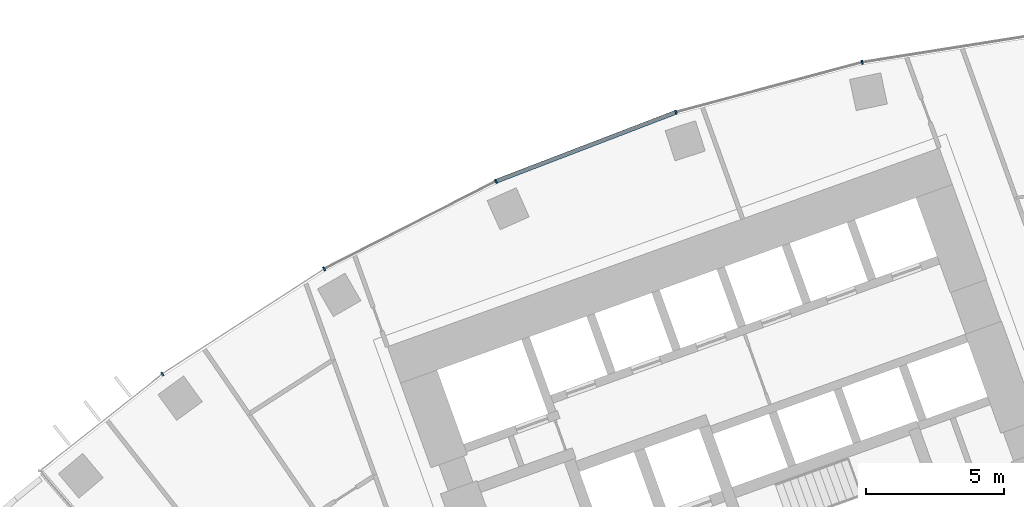
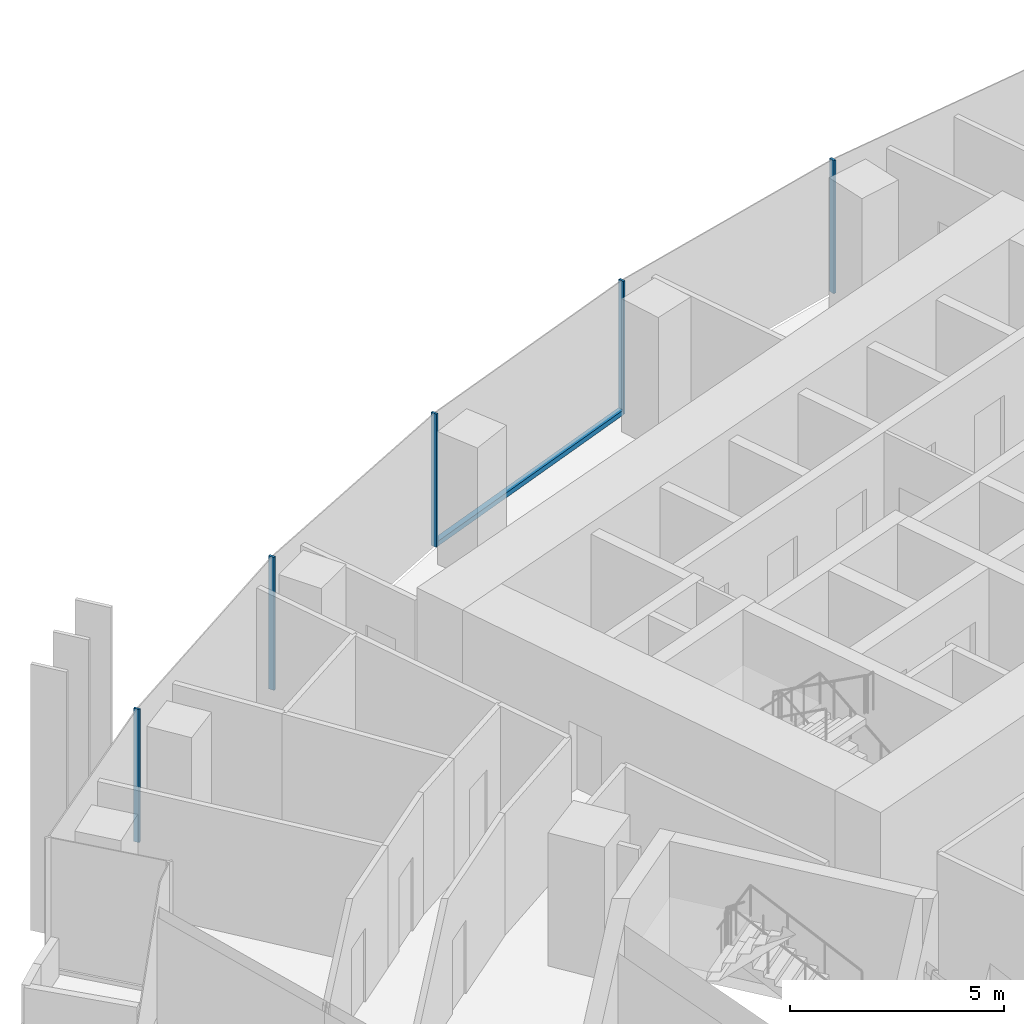
# One storey, part 5 of 21: 6 members, 1 element without a shape of its own.
"""IFC4 building model written with IfcOpenShell, lengths in metres."""

from ifc_helpers import new_model, si_unit, direction, frame, origin, origin_2d, place, context, subcontext, project, spatial, rectangle, extrude, material, layer, layer_set, material_profile, profile_set, type_object, element, aggregate, save


model = new_model("IFC4")

# Units and contexts
model_context = context("Model", 3, precision=1e-05, world=origin(), true_north=direction((0.0, 1.0)))
body_context = subcontext(model_context, "Body", "Model", "MODEL_VIEW")
ifc_project = project(units=[si_unit("LENGTHUNIT", "METRE"), si_unit("AREAUNIT", "SQUARE_METRE"), si_unit("VOLUMEUNIT", "CUBIC_METRE"), si_unit("PLANEANGLEUNIT", "RADIAN"), si_unit("MASSUNIT", "GRAM", prefix="KILO")], contexts=[model_context])

# Site, building, storey
site_placement = place(None, origin())
site = spatial("IfcSite", under=ifc_project, at=site_placement, CompositionType="ELEMENT")
building_placement = place(site_placement, origin())
building = spatial("IfcBuilding", under=site, at=building_placement, Name="Stone Belt Terrace Tower", CompositionType="ELEMENT")
storey_placement = place(building_placement, frame((0.0, 0.0, 113.60009765625)))
storey = spatial("IfcBuildingStorey", under=building, at=storey_placement, Name="L27", CompositionType="ELEMENT", Elevation=113.60009765625)

# Curtain wall, members
ifc_material = material(Name="Aluminium 6063-T6 anodised frame", Category="aluminium")
ifc_layer = layer(ifc_material, 0.14990234375)
ifc_layer_set = layer_set([ifc_layer], Name="CW-A unitised convex-face curtain wall")
curtain_wall_type = type_object("IfcCurtainWallType", Name="CW-A unitised convex-face curtain wall", PredefinedType="NOTDEFINED", material=ifc_layer_set)
curtain_wall_placement = place(storey_placement, origin())
curtain_wall = element("IfcCurtainWall", 1, at=curtain_wall_placement, inside=storey, type_object=curtain_wall_type, Name="CW-A convex face L27", PredefinedType="NOTDEFINED")
ifc_material_profile_1 = material_profile(ifc_material, rectangle(XDim=0.14990234375, YDim=0.06005859375, at=origin_2d()), Name="Aluminium 6063-T6 60x150")
ifc_profile_set_1 = profile_set([ifc_material_profile_1], Name="Aluminium 6063-T6 anodised frame")
member_type_1 = type_object("IfcMemberType", Name="CW-A mullion 60 x 150", PredefinedType="MULLION", material=ifc_profile_set_1)
member_1_placement = place(storey_placement, frame((-13.841796875, 65.120361328125, 0.0), z_axis=(0.0, 0.0, 1.0), x_axis=(0.207911690818, -0.978147600734, 0.0)))
member_1 = element("IfcMember", 2, at=member_1_placement, type_object=member_type_1, Name="CW-A mullion 12", PredefinedType="MULLION", context=body_context, shape_type="SweptSolid", body=[
    extrude(rectangle(XDim=0.14990234375, YDim=0.06005859375, at=origin_2d()), origin(), (0.0, 0.0, 1.0), 3.7998046875),
])
member_2_placement = place(storey_placement, frame((-20.57275390625, 63.316650390625, 0.0), z_axis=(0.0, 0.0, 1.0), x_axis=(0.309016994375, -0.951056516295, 0.0)))
member_2 = element("IfcMember", 3, at=member_2_placement, type_object=member_type_1, Name="CW-A mullion 13", PredefinedType="MULLION", context=body_context, shape_type="SweptSolid", body=[
    extrude(rectangle(XDim=0.14990234375, YDim=0.06005859375, at=origin_2d()), origin(), (0.0, 0.0, 1.0), 3.7998046875),
])
member_3_placement = place(storey_placement, frame((-27.07861328125, 60.8193359375, 0.0), z_axis=(0.0, 0.0, 1.0), x_axis=(0.406736643076, -0.913545457643, 0.0)))
member_3 = element("IfcMember", 4, at=member_3_placement, type_object=member_type_1, Name="CW-A mullion 14", PredefinedType="MULLION", context=body_context, shape_type="SweptSolid", body=[
    extrude(rectangle(XDim=0.14990234375, YDim=0.06005859375, at=origin_2d()), origin(), (0.0, 0.0, 1.0), 3.7998046875),
])
member_4_placement = place(storey_placement, frame((-33.28759765625, 57.65576171875, 0.0), z_axis=(0.0, 0.0, 1.0), x_axis=(0.5, -0.866025403784, 0.0)))
member_4 = element("IfcMember", 5, at=member_4_placement, type_object=member_type_1, Name="CW-A mullion 15", PredefinedType="MULLION", context=body_context, shape_type="SweptSolid", body=[
    extrude(rectangle(XDim=0.14990234375, YDim=0.06005859375, at=origin_2d()), origin(), (0.0, 0.0, 1.0), 3.7998046875),
])
member_5_placement = place(storey_placement, frame((-39.131591796875, 53.860595703125, 0.0), z_axis=(0.0, 0.0, 1.0), x_axis=(0.583508737005, -0.812106861096, 0.0)))
member_5 = element("IfcMember", 6, at=member_5_placement, type_object=member_type_1, Name="CW-A mullion 16", PredefinedType="MULLION", context=body_context, shape_type="SweptSolid", body=[
    extrude(rectangle(XDim=0.14990234375, YDim=0.06005859375, at=origin_2d()), origin(), (0.0, 0.0, 1.0), 3.7998046875),
])
ifc_material_profile_2 = material_profile(ifc_material, rectangle(XDim=0.14990234375, YDim=0.139892578125, at=origin_2d()), Name="Aluminium 6063-T6 150x140")
ifc_profile_set_2 = profile_set([ifc_material_profile_2], Name="Aluminium 6063-T6 anodised frame")
member_type_2 = type_object("IfcMemberType", Name="CW-A transom 140 x 150", PredefinedType="USERDEFINED", material=ifc_profile_set_2)
member_6_placement = place(storey_placement, frame((-20.6044921875, 63.304443359375, 0.06982421875), z_axis=(-0.933585210269, -0.358355487146, 0.0), x_axis=(0.358355487146, -0.933585210269, 0.0)))
member_6 = element("IfcMember", 7, at=member_6_placement, type_object=member_type_2, Name="CW-A transom 13.1", ObjectType="TRANSOM", PredefinedType="USERDEFINED", context=body_context, shape_type="SweptSolid", body=[
    extrude(rectangle(XDim=0.14990234375, YDim=0.139892578125, at=origin_2d()), origin(), (0.0, 0.0, 1.0), 6.900634765625),
])
aggregate(curtain_wall, [member_1, member_2, member_3, member_4, member_5, member_6])

save(model, "model.ifc")
